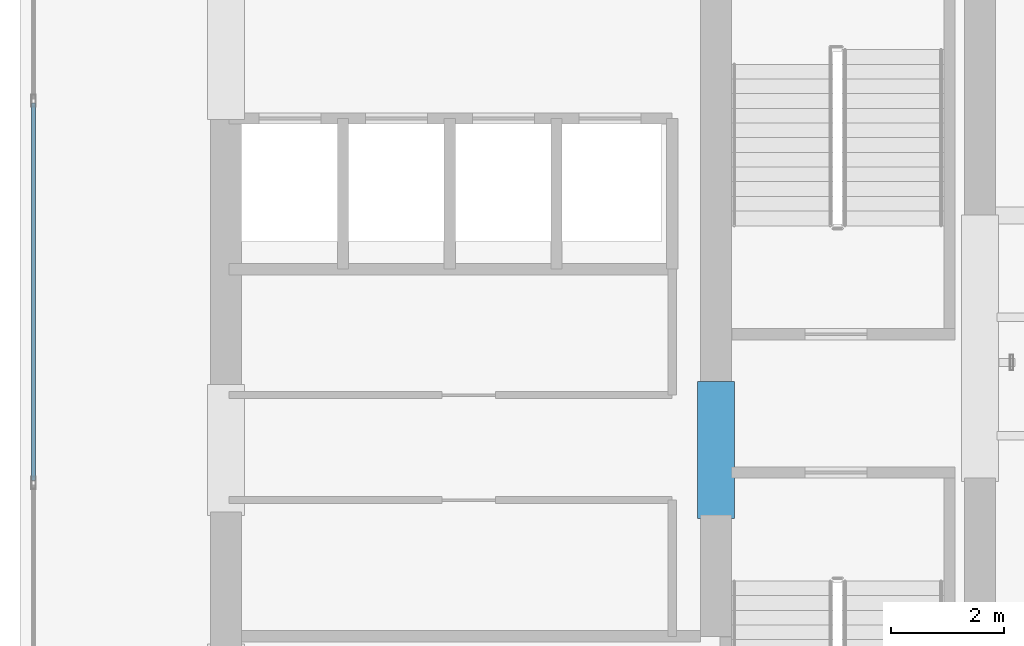
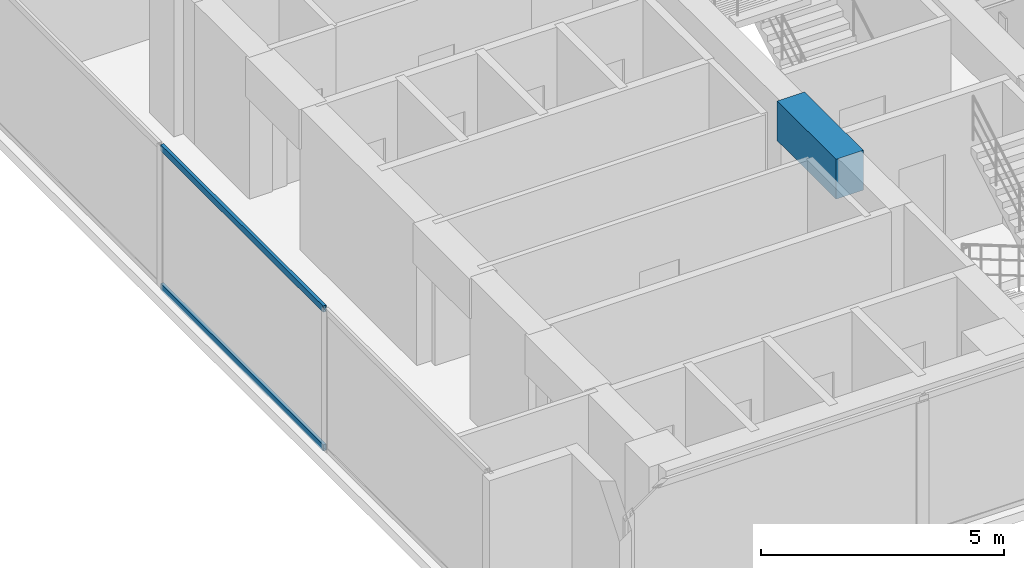
# One storey, part 3 of 22: 2 members, 1 beam, 1 element without a shape of its own.
"""IFC4 building model written with IfcOpenShell, lengths in metres."""

from ifc_helpers import new_model, si_unit, direction, frame, origin, origin_with_axes, origin_2d, place, context, subcontext, project, spatial, rectangle, hollow_rectangle, extrude, source, transform, mapped, material, layer, layer_set, material_profile, profile_set, type_object, element, aggregate, save


model = new_model("IFC4")

# Units and contexts
model_context = context("Model", 3, precision=1e-05, world=origin(), true_north=direction((0.0, 1.0)))
body_context = subcontext(model_context, "Body", "Model", "MODEL_VIEW")
ifc_project = project(units=[si_unit("LENGTHUNIT", "METRE"), si_unit("AREAUNIT", "SQUARE_METRE"), si_unit("VOLUMEUNIT", "CUBIC_METRE"), si_unit("PLANEANGLEUNIT", "RADIAN"), si_unit("MASSUNIT", "GRAM", prefix="KILO")], contexts=[model_context])

# Site, building, storey
site_placement = place(None, origin())
site = spatial("IfcSite", under=ifc_project, at=site_placement, CompositionType="ELEMENT")
building_placement = place(site_placement, origin())
building = spatial("IfcBuilding", under=site, at=building_placement, Name="Kolvaren Waterfront Exchange", CompositionType="ELEMENT")
storey_placement = place(building_placement, frame((0.0, 0.0, 246.300048828125)))
storey = spatial("IfcBuildingStorey", under=building, at=storey_placement, Name="L63", CompositionType="ELEMENT", Elevation=246.300048828125)

# Beam
ifc_material_1 = material(Name="Concrete C60/75", Category="concrete")
ifc_material_profile_1 = material_profile(ifc_material_1, rectangle(XDim=0.64990234375, YDim=1.0, at=origin_2d()), Name="RC-CB-1000x650")
ifc_profile_set_1 = profile_set([ifc_material_profile_1], Name="Concrete C60/75")
beam_type = type_object("IfcBeamType", Name="STR-CB-1000", PredefinedType="SPANDREL", material=ifc_profile_set_1)
beam_placement = place(storey_placement, frame((16.125, 12.0400390625, 3.06005859375), z_axis=(0.0, 1.0, 0.0), x_axis=(-1.0, 0.0, 0.0)))
element("IfcBeam", 1, at=beam_placement, inside=storey, type_object=beam_type, Name="L63 core coupling beam 6", PredefinedType="SPANDREL", context=body_context, shape_type="SweptSolid", body=[
    extrude(rectangle(XDim=0.64990234375, YDim=1.0, at=origin_2d()), origin(), (0.0, 0.0, 1.0), 2.419921875),
])

# Curtain wall, members
ifc_material_2 = material(Name="Anodised aluminium 6063-T6", Category="aluminium")
ifc_layer = layer(ifc_material_2, 0.219970703125, Name="Anodised aluminium 6063-T6")
ifc_layer_set = layer_set([ifc_layer], Name="Anodised aluminium 6063-T6")
curtain_wall_type = type_object("IfcCurtainWallType", Name="ARC-CW-SYS2", PredefinedType="USERDEFINED", material=ifc_layer_set)
curtain_wall_placement = place(storey_placement, origin())
curtain_wall = element("IfcCurtainWall", 2, at=curtain_wall_placement, inside=storey, type_object=curtain_wall_type, Name="L63 stick curtain wall CW2 (CW-L63-W)", ObjectType="STICK CURTAIN WALL", PredefinedType="USERDEFINED")
ifc_material_profile_2 = material_profile(ifc_material_2, hollow_rectangle(XDim=0.074951171875, YDim=0.159912109375, WallThickness=0.00439453125, at=origin_2d()), Name="ALU-TRN-160x75x4.5")
ifc_profile_set_2 = profile_set([ifc_material_profile_2], Name="Anodised aluminium 6063-T6")
member_type = type_object("IfcMemberType", Name="ARC-CWT-160", PredefinedType="USERDEFINED", material=ifc_profile_set_2)
shared_shape = source(origin_with_axes(), body_context, "Body", "SweptSolid", [
    extrude(hollow_rectangle(XDim=0.074951171875, YDim=0.159912109375, WallThickness=0.00439453125, at=origin_2d()), origin(), (0.0, 0.0, 1.0), 6.6865234375),
])
member_1_placement = place(storey_placement, frame((4.0400390625, 12.706787109375, 0.037353515625), z_axis=(0.0, 1.0, 0.0), x_axis=(-1.0, 0.0, 0.0)))
member_1 = element("IfcMember", 3, at=member_1_placement, type_object=member_type, Name="CW2 transom 2.1", ObjectType="TRANSOM", PredefinedType="USERDEFINED", context=body_context, shape_type="MappedRepresentation", body=[
    mapped(shared_shape, transform((0.0, 0.0, 0.0), x_axis=(1.0, 0.0, 0.0), y_axis=(0.0, 1.0, 0.0), z_axis=(0.0, 0.0, 1.0), scale=1.0)),
])
member_2_placement = place(storey_placement, frame((4.0400390625, 12.706787109375, 3.5224609375), z_axis=(0.0, 1.0, 0.0), x_axis=(-1.0, 0.0, 0.0)))
member_2 = element("IfcMember", 4, at=member_2_placement, type_object=member_type, Name="CW2 transom 2.2", ObjectType="TRANSOM", PredefinedType="USERDEFINED", context=body_context, shape_type="MappedRepresentation", body=[
    mapped(shared_shape, transform((0.0, 0.0, 0.0), x_axis=(1.0, 0.0, 0.0), y_axis=(0.0, 1.0, 0.0), z_axis=(0.0, 0.0, 1.0), scale=1.0)),
])
aggregate(curtain_wall, [member_1, member_2])

save(model, "model.ifc")
